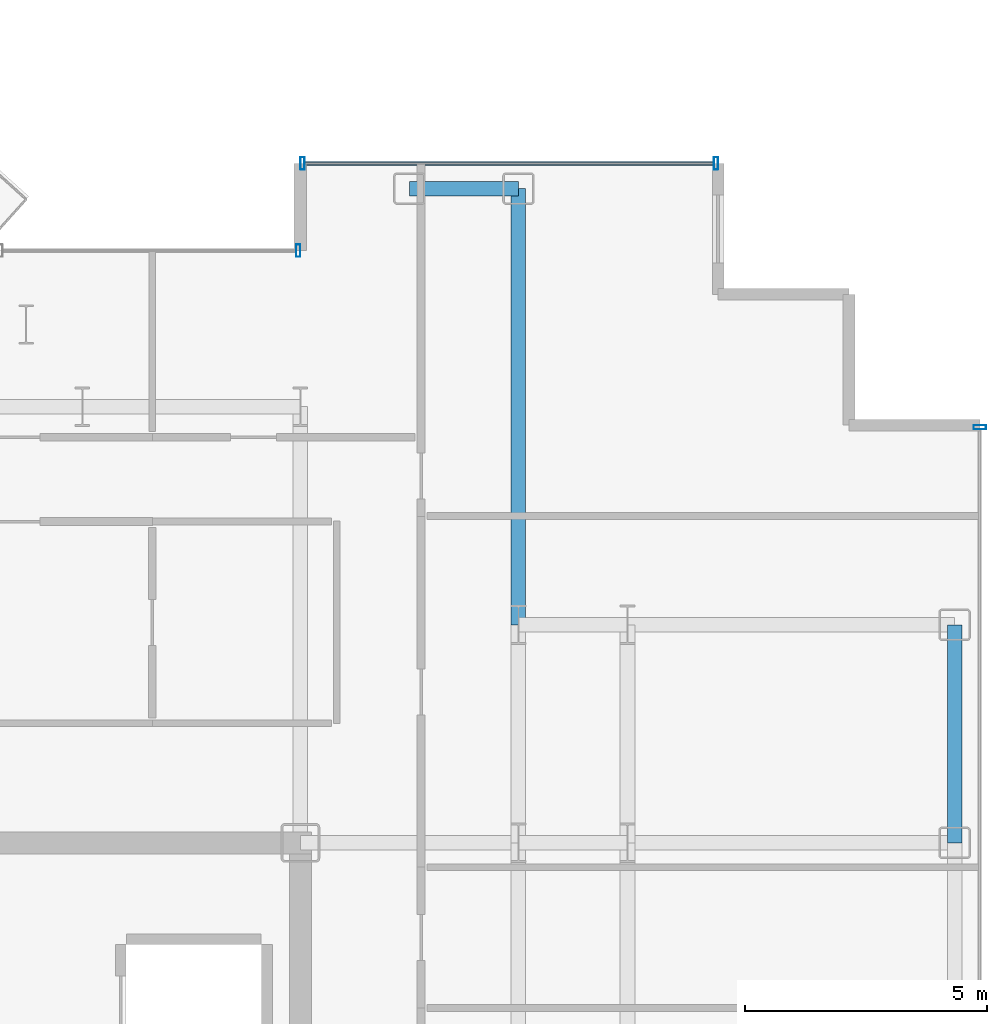
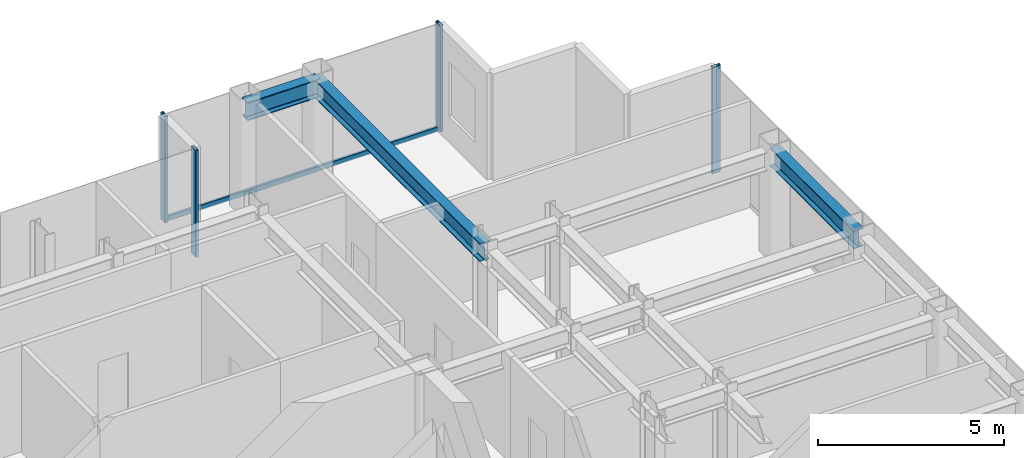
# One storey, part 12 of 21: 5 members, 3 beams, 3 elements without a shape of their own.
"""IFC4 building model written with IfcOpenShell, lengths in metres."""

from ifc_helpers import new_model, si_unit, direction, frame, origin, origin_2d, place, context, subcontext, project, spatial, hollow_rectangle, i_section, extrude, source, transform, mapped, material, layer, layer_set, material_profile, profile_set, type_object, element, aggregate, save


model = new_model("IFC4")

# Units and contexts
model_context = context("Model", 3, precision=1e-05, world=origin(), true_north=direction((0.0, 1.0)))
body_context = subcontext(model_context, "Body", "Model", "MODEL_VIEW")
ifc_project = project(units=[si_unit("LENGTHUNIT", "METRE"), si_unit("AREAUNIT", "SQUARE_METRE"), si_unit("VOLUMEUNIT", "CUBIC_METRE"), si_unit("PLANEANGLEUNIT", "RADIAN"), si_unit("MASSUNIT", "GRAM", prefix="KILO")], contexts=[model_context])

# Site, building, storey
site_placement = place(None, origin())
site = spatial("IfcSite", under=ifc_project, at=site_placement, CompositionType="ELEMENT")
building_placement = place(site_placement, origin())
building = spatial("IfcBuilding", under=site, at=building_placement, Name="Nefas-Gora Pilgrimage Tower", CompositionType="ELEMENT")
storey_placement = place(building_placement, frame((0.0, 0.0, 256.0)))
storey = spatial("IfcBuildingStorey", under=building, at=storey_placement, Name="L64", CompositionType="ELEMENT", Elevation=256.0)

# Beams
ifc_material_1 = material(Name="Steel S355", Category="steel")
ifc_material_profile_1 = material_profile(ifc_material_1, i_section(OverallWidth=0.300048828125, OverallDepth=0.60009765625, WebThickness=0.015380859375, FlangeThickness=0.030029296875, FilletRadius=0.027099609375, at=origin_2d()), Name="HEB 600")
ifc_profile_set_1 = profile_set([ifc_material_profile_1], Name="Steel S355")
beam_type_1 = type_object("IfcBeamType", Name="BM-SPN-HEB450", PredefinedType="SPANDREL", material=ifc_profile_set_1)
shared_shape_1 = source(origin(), body_context, "Body", "SweptSolid", [
    extrude(i_section(OverallWidth=0.300048828125, OverallDepth=0.60009765625, WebThickness=0.015380859375, FlangeThickness=0.030029296875, FilletRadius=0.027099609375, at=origin_2d()), origin(), (0.0, 0.0, 1.0), 4.5),
])
beam_1_placement = place(storey_placement, frame((24.75, 9.0, 3.199951171875), z_axis=(0.0, 1.0, 0.0), x_axis=(-1.0, 0.0, 0.0)))
element("IfcBeam", 1, at=beam_1_placement, inside=storey, type_object=beam_type_1, Name="L64 SP-03 beam", PredefinedType="SPANDREL", context=body_context, shape_type="MappedRepresentation", body=[
    mapped(shared_shape_1, transform((0.0, 0.0, 0.0), x_axis=(1.0, 0.0, 0.0), y_axis=(0.0, 1.0, 0.0), z_axis=(0.0, 0.0, 1.0), scale=1.0)),
])
ifc_material_profile_2 = material_profile(ifc_material_1, i_section(OverallWidth=0.300048828125, OverallDepth=0.60009765625, WebThickness=0.015380859375, FlangeThickness=0.030029296875, FilletRadius=0.027099609375, at=origin_2d()), Name="HEB 600")
ifc_profile_set_2 = profile_set([ifc_material_profile_2], Name="Steel S355")
beam_type_2 = type_object("IfcBeamType", Name="BM-GIR-HEB600", PredefinedType="BEAM", material=ifc_profile_set_2)
shared_shape_2 = source(origin(), body_context, "Body", "SweptSolid", [
    extrude(i_section(OverallWidth=0.300048828125, OverallDepth=0.60009765625, WebThickness=0.015380859375, FlangeThickness=0.030029296875, FilletRadius=0.027099609375, at=origin_2d()), origin(), (0.0, 0.0, 1.0), 9.0),
])
beam_2_placement = place(storey_placement, frame((15.75, 13.5, 3.199951171875), z_axis=(0.0, 1.0, 0.0), x_axis=(-1.0, 0.0, 0.0)))
element("IfcBeam", 2, at=beam_2_placement, inside=storey, type_object=beam_type_2, Name="L64 G-04 beam", PredefinedType="BEAM", context=body_context, shape_type="MappedRepresentation", body=[
    mapped(shared_shape_2, transform((0.0, 0.0, 0.0), x_axis=(1.0, 0.0, 0.0), y_axis=(0.0, 1.0, 0.0), z_axis=(0.0, 0.0, 1.0), scale=1.0)),
])
shared_shape_3 = source(origin(), body_context, "Body", "SweptSolid", [
    extrude(i_section(OverallWidth=0.300048828125, OverallDepth=0.60009765625, WebThickness=0.015380859375, FlangeThickness=0.030029296875, FilletRadius=0.027099609375, at=origin_2d()), origin(), (0.0, 0.0, 1.0), 2.25),
])
beam_3_placement = place(storey_placement, frame((13.5, 22.5, 3.199951171875), z_axis=(1.0, 0.0, 0.0), x_axis=(0.0, 1.0, 0.0)))
element("IfcBeam", 3, at=beam_3_placement, inside=storey, type_object=beam_type_1, Name="L64 SP-03 beam", PredefinedType="SPANDREL", context=body_context, shape_type="MappedRepresentation", body=[
    mapped(shared_shape_3, transform((0.0, 0.0, 0.0), x_axis=(1.0, 0.0, 0.0), y_axis=(0.0, 1.0, 0.0), z_axis=(0.0, 0.0, 1.0), scale=1.0)),
])

# Curtain wall, member
ifc_material_2 = material(Name="Dark ceramic-fritted solar-control aluminium-glass curtain wall", Category="aluminium")
ifc_layer_1 = layer(ifc_material_2, 0.219970703125)
ifc_layer_set_1 = layer_set([ifc_layer_1], Name="Dark ceramic-fritted solar-control aluminium-glass curtain wall")
curtain_wall_type_1 = type_object("IfcCurtainWallType", Name="CW-SYS-5", PredefinedType="NOTDEFINED", material=ifc_layer_set_1)
curtain_wall_1_placement = place(storey_placement, origin())
curtain_wall_1 = element("IfcCurtainWall", 4, at=curtain_wall_1_placement, inside=storey, type_object=curtain_wall_type_1, Name="L64 Unitised Curtain Wall CW5", PredefinedType="NOTDEFINED")
ifc_material_3 = material(Name="Anodised architectural aluminium", Category="aluminium")
ifc_material_profile_3 = material_profile(ifc_material_3, hollow_rectangle(XDim=0.090087890625, YDim=0.260009765625, WallThickness=0.006103515625, InnerFilletRadius=0.006103515625, OuterFilletRadius=0.011962890625, at=origin_2d()), Name="ALU MULLION 90x260")
ifc_profile_set_3 = profile_set([ifc_material_profile_3], Name="Anodised architectural aluminium")
member_type_1 = type_object("IfcMemberType", Name="CWM-MUL-5", PredefinedType="MULLION", material=ifc_profile_set_3)
shared_shape_4 = source(origin(), body_context, "Body", "SweptSolid", [
    extrude(hollow_rectangle(XDim=0.090087890625, YDim=0.260009765625, WallThickness=0.006103515625, InnerFilletRadius=0.006103515625, OuterFilletRadius=0.011962890625, at=origin_2d()), origin(), (0.0, 0.0, 1.0), 3.5),
])
member_1_placement = place(storey_placement, frame((11.205078125, 21.219970703125, 0.0), z_axis=(0.0, 0.0, 1.0), x_axis=(-1.0, 0.0, 0.0)))
member_1 = element("IfcMember", 5, at=member_1_placement, type_object=member_type_1, Name="CW5 Mullion 1", PredefinedType="MULLION", context=body_context, shape_type="MappedRepresentation", body=[
    mapped(shared_shape_4, transform((0.0, 0.0, 0.0), x_axis=(1.0, 0.0, 0.0), y_axis=(0.0, 1.0, 0.0), z_axis=(0.0, 0.0, 1.0), scale=1.0)),
])
aggregate(curtain_wall_1, [member_1])

ifc_layer_2 = layer(ifc_material_2, 0.219970703125)
ifc_layer_set_2 = layer_set([ifc_layer_2], Name="Dark ceramic-fritted solar-control aluminium-glass curtain wall")
curtain_wall_type_2 = type_object("IfcCurtainWallType", Name="CW-SYS-3", PredefinedType="NOTDEFINED", material=ifc_layer_set_2)
curtain_wall_2_placement = place(storey_placement, origin())
curtain_wall_2 = element("IfcCurtainWall", 6, at=curtain_wall_2_placement, inside=storey, type_object=curtain_wall_type_2, Name="L64 Unitised Curtain Wall CW3", PredefinedType="NOTDEFINED")
ifc_material_profile_4 = material_profile(ifc_material_3, hollow_rectangle(XDim=0.080078125, YDim=0.159912109375, WallThickness=0.00439453125, InnerFilletRadius=0.00439453125, OuterFilletRadius=0.009033203125, at=origin_2d()), Name="ALU TRANSOM 80x160")
ifc_profile_set_4 = profile_set([ifc_material_profile_4], Name="Anodised architectural aluminium")
member_type_2 = type_object("IfcMemberType", Name="CWM-TRN-3", PredefinedType="USERDEFINED", material=ifc_profile_set_4)
shared_shape_5 = source(origin(), body_context, "Body", "SweptSolid", [
    extrude(hollow_rectangle(XDim=0.080078125, YDim=0.159912109375, WallThickness=0.00439453125, InnerFilletRadius=0.00439453125, OuterFilletRadius=0.009033203125, at=origin_2d()), origin(), (0.0, 0.0, 1.0), 8.43994140625),
])
member_2_placement = place(storey_placement, frame((19.780029296875, 23.02001953125, 0.050048828125), z_axis=(-1.0, 0.0, 0.0), x_axis=(0.0, -1.0, 0.0)))
member_2 = element("IfcMember", 7, at=member_2_placement, type_object=member_type_2, Name="CW3 Spandrel Transom", ObjectType="TRANSOM", PredefinedType="USERDEFINED", context=body_context, shape_type="MappedRepresentation", body=[
    mapped(shared_shape_5, transform((0.0, 0.0, 0.0), x_axis=(1.0, 0.0, 0.0), y_axis=(0.0, 1.0, 0.0), z_axis=(0.0, 0.0, 1.0), scale=1.0)),
])

curtain_wall_3_placement = place(storey_placement, origin())
curtain_wall_3 = element("IfcCurtainWall", 8, at=curtain_wall_3_placement, inside=storey, type_object=curtain_wall_type_2, Name="L64 Unitised Curtain Wall CW3", PredefinedType="NOTDEFINED")
ifc_material_profile_5 = material_profile(ifc_material_3, hollow_rectangle(XDim=0.090087890625, YDim=0.260009765625, WallThickness=0.006103515625, InnerFilletRadius=0.006103515625, OuterFilletRadius=0.011962890625, at=origin_2d()), Name="ALU MULLION 90x260")
ifc_profile_set_5 = profile_set([ifc_material_profile_5], Name="Anodised architectural aluminium")
member_type_3 = type_object("IfcMemberType", Name="CWM-MUL-3", PredefinedType="MULLION", material=ifc_profile_set_5)
shared_shape_6 = source(origin(), body_context, "Body", "SweptSolid", [
    extrude(hollow_rectangle(XDim=0.090087890625, YDim=0.260009765625, WallThickness=0.006103515625, InnerFilletRadius=0.006103515625, OuterFilletRadius=0.011962890625, at=origin_2d()), origin(), (0.0, 0.0, 1.0), 3.5),
])
member_3_placement = place(storey_placement, frame((25.27001953125, 17.574951171875, 0.0), z_axis=(0.0, 0.0, 1.0), x_axis=(0.0, 1.0, 0.0)))
member_3 = element("IfcMember", 9, at=member_3_placement, type_object=member_type_3, Name="CW3 Mullion 2", PredefinedType="MULLION", context=body_context, shape_type="MappedRepresentation", body=[
    mapped(shared_shape_6, transform((0.0, 0.0, 0.0), x_axis=(1.0, 0.0, 0.0), y_axis=(0.0, 1.0, 0.0), z_axis=(0.0, 0.0, 1.0), scale=1.0)),
])
aggregate(curtain_wall_3, [member_3])

# Member
member_4_placement = place(storey_placement, frame((19.824951171875, 23.02001953125, 0.0), z_axis=(0.0, 0.0, 1.0), x_axis=(-1.0, 0.0, 0.0)))
member_4 = element("IfcMember", 10, at=member_4_placement, type_object=member_type_3, Name="CW3 Mullion 1", PredefinedType="MULLION", context=body_context, shape_type="MappedRepresentation", body=[
    mapped(shared_shape_6, transform((0.0, 0.0, 0.0), x_axis=(1.0, 0.0, 0.0), y_axis=(0.0, 1.0, 0.0), z_axis=(0.0, 0.0, 1.0), scale=1.0)),
])

member_5_placement = place(storey_placement, frame((11.294921875, 23.02001953125, 0.0), z_axis=(0.0, 0.0, 1.0), x_axis=(-1.0, 0.0, 0.0)))
member_5 = element("IfcMember", 11, at=member_5_placement, type_object=member_type_3, Name="CW3 Mullion 2", PredefinedType="MULLION", context=body_context, shape_type="MappedRepresentation", body=[
    mapped(shared_shape_6, transform((0.0, 0.0, 0.0), x_axis=(1.0, 0.0, 0.0), y_axis=(0.0, 1.0, 0.0), z_axis=(0.0, 0.0, 1.0), scale=1.0)),
])

aggregate(curtain_wall_2, [member_4, member_5, member_2])

save(model, "model.ifc")
